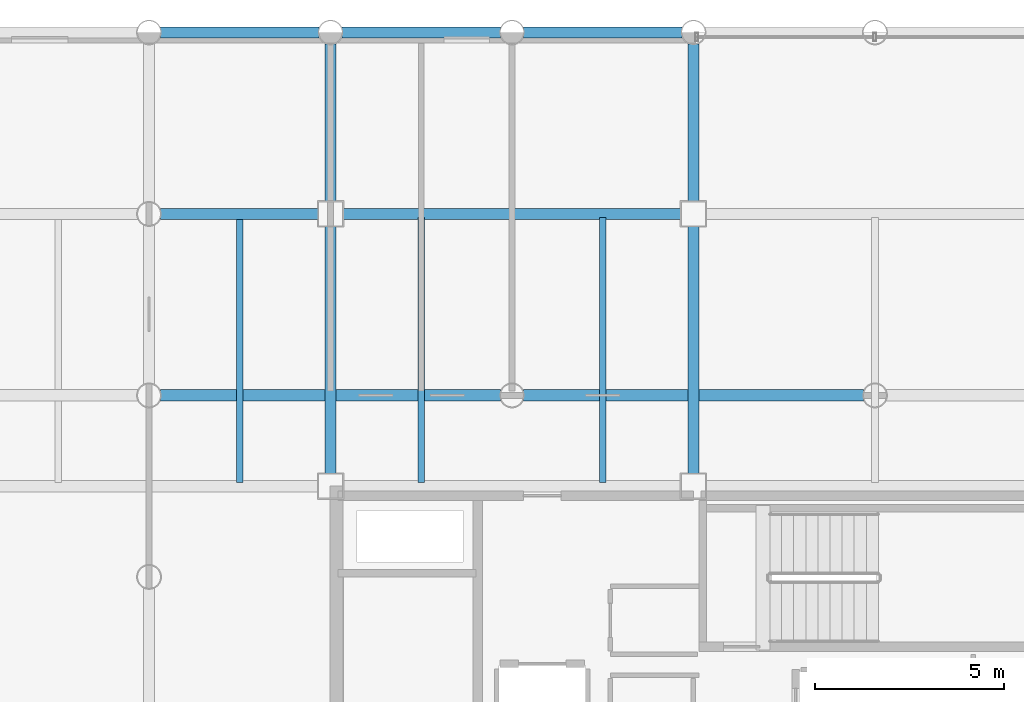
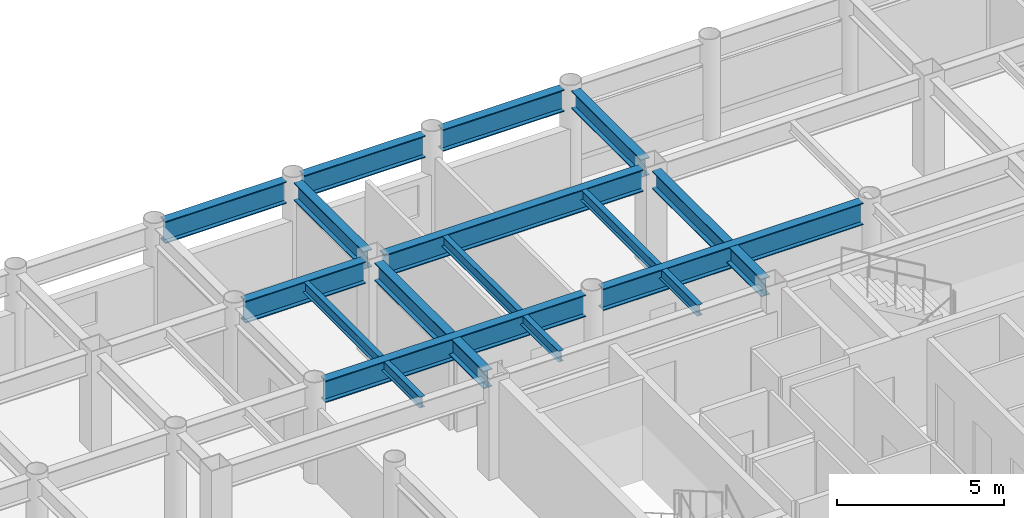
# One storey, part 10 of 19: 14 beams.
"""IFC4 building model written with IfcOpenShell, lengths in metres."""

from ifc_helpers import new_model, si_unit, direction, frame, origin, origin_2d, place, context, subcontext, project, spatial, i_section, extrude, material, material_profile, profile_set, type_object, element, save


model = new_model("IFC4")

# Units and contexts
model_context = context("Model", 3, precision=1e-05, world=origin(), true_north=direction((0.0, 1.0)))
body_context = subcontext(model_context, "Body", "Model", "MODEL_VIEW")
ifc_project = project(units=[si_unit("LENGTHUNIT", "METRE"), si_unit("AREAUNIT", "SQUARE_METRE"), si_unit("VOLUMEUNIT", "CUBIC_METRE"), si_unit("PLANEANGLEUNIT", "RADIAN"), si_unit("MASSUNIT", "GRAM", prefix="KILO")], contexts=[model_context])

# Site, building, storey
site_placement = place(None, origin())
site = spatial("IfcSite", under=ifc_project, at=site_placement, CompositionType="ELEMENT")
building_placement = place(site_placement, origin())
building = spatial("IfcBuilding", under=site, at=building_placement, Name="Kallvorn Hotel Tower", CompositionType="ELEMENT")
storey_placement = place(building_placement, frame((0.0, 0.0, 165.5)))
storey = spatial("IfcBuildingStorey", under=building, at=storey_placement, Name="L41", CompositionType="ELEMENT", Elevation=165.5)

# Beams
ifc_material_1 = material(Name="Structural steel S355JR", Category="steel")
ifc_material_profile_1 = material_profile(ifc_material_1, i_section(OverallWidth=0.300048828125, OverallDepth=0.64990234375, WebThickness=0.01611328125, FlangeThickness=0.031005859375, at=origin_2d()), Name="HE 650 B")
ifc_profile_set_1 = profile_set([ifc_material_profile_1], Name="Structural steel S355JR")
beam_type_1 = type_object("IfcBeamType", Name="BM_HE650B", PredefinedType="BEAM", material=ifc_profile_set_1)
beam_1_placement = place(storey_placement, frame((-14.39990234375, 7.52490234375, 3.195068359375), z_axis=(0.0, 1.0, 0.0), x_axis=(-1.0, 0.0, 0.0)))
element("IfcBeam", 1, at=beam_1_placement, inside=storey, type_object=beam_type_1, Name="L42 Primary Y-Girder 101", PredefinedType="BEAM", context=body_context, shape_type="SweptSolid", body=[
    extrude(i_section(OverallWidth=0.300048828125, OverallDepth=0.64990234375, WebThickness=0.01611328125, FlangeThickness=0.031005859375, at=origin_2d()), origin(), (0.0, 0.0, 1.0), 6.550048828125),
])
beam_2_placement = place(storey_placement, frame((-14.39990234375, 14.72509765625, 3.195068359375), z_axis=(0.0, 1.0, 0.0), x_axis=(-1.0, 0.0, 0.0)))
element("IfcBeam", 2, at=beam_2_placement, inside=storey, type_object=beam_type_1, Name="L42 Primary Y-Girder 102", PredefinedType="BEAM", context=body_context, shape_type="SweptSolid", body=[
    extrude(i_section(OverallWidth=0.300048828125, OverallDepth=0.64990234375, WebThickness=0.01611328125, FlangeThickness=0.031005859375, at=origin_2d()), origin(), (0.0, 0.0, 1.0), 4.169921875),
])
beam_3_placement = place(storey_placement, frame((-4.800048828125, 7.52490234375, 3.195068359375), z_axis=(0.0, 1.0, 0.0), x_axis=(-1.0, 0.0, 0.0)))
element("IfcBeam", 3, at=beam_3_placement, inside=storey, type_object=beam_type_1, Name="L42 Primary Y-Girder 109", PredefinedType="BEAM", context=body_context, shape_type="SweptSolid", body=[
    extrude(i_section(OverallWidth=0.300048828125, OverallDepth=0.64990234375, WebThickness=0.01611328125, FlangeThickness=0.031005859375, at=origin_2d()), origin(), (0.0, 0.0, 1.0), 6.550048828125),
])
beam_4_placement = place(storey_placement, frame((-4.800048828125, 14.72509765625, 3.195068359375), z_axis=(0.0, 1.0, 0.0), x_axis=(-1.0, 0.0, 0.0)))
element("IfcBeam", 4, at=beam_4_placement, inside=storey, type_object=beam_type_1, Name="L42 Primary Y-Girder 110", PredefinedType="BEAM", context=body_context, shape_type="SweptSolid", body=[
    extrude(i_section(OverallWidth=0.300048828125, OverallDepth=0.64990234375, WebThickness=0.01611328125, FlangeThickness=0.031005859375, at=origin_2d()), origin(), (0.0, 0.0, 1.0), 4.169921875),
])
ifc_material_2 = material(Name="Structural steel S355JR", Category="steel")
ifc_material_profile_2 = material_profile(ifc_material_2, i_section(OverallWidth=0.300048828125, OverallDepth=0.800048828125, WebThickness=0.017578125, FlangeThickness=0.032958984375, at=origin_2d()), Name="HE 800 B")
ifc_profile_set_2 = profile_set([ifc_material_profile_2], Name="Structural steel S355JR")
beam_type_2 = type_object("IfcBeamType", Name="BM_HE800B", PredefinedType="BEAM", material=ifc_profile_set_2)
for number, where, z_axis, x_axis, name in (
    (5, (-18.89501953125, 9.60009765625, 3.1201171875), (1.0, 0.0, 0.0), (0.0, 1.0, 0.0), "L42 Primary X-Girder 45"),
    (6, (-9.294921875, 9.60009765625, 3.1201171875), (1.0, 0.0, 0.0), (0.0, 1.0, 0.0), "L42 Primary X-Girder 46"),
):
    element("IfcBeam", number, at=place(storey_placement, frame(where, z_axis=z_axis, x_axis=x_axis)), inside=storey, type_object=beam_type_2, Name=name, PredefinedType="BEAM", context=body_context, shape_type="SweptSolid", body=[
        extrude(i_section(OverallWidth=0.300048828125, OverallDepth=0.800048828125, WebThickness=0.017578125, FlangeThickness=0.032958984375, at=origin_2d()), origin(), (0.0, 0.0, 1.0), 8.989990234375),
    ])
beam_5_placement = place(storey_placement, frame((-18.89501953125, 14.39990234375, 3.1201171875), z_axis=(1.0, 0.0, 0.0), x_axis=(0.0, 1.0, 0.0)))
element("IfcBeam", 7, at=beam_5_placement, inside=storey, type_object=beam_type_2, Name="L42 Primary X-Girder 54", PredefinedType="BEAM", context=body_context, shape_type="SweptSolid", body=[
    extrude(i_section(OverallWidth=0.300048828125, OverallDepth=0.800048828125, WebThickness=0.017578125, FlangeThickness=0.032958984375, at=origin_2d()), origin(), (0.0, 0.0, 1.0), 4.169921875),
])
beam_6_placement = place(storey_placement, frame((-14.074951171875, 14.39990234375, 3.1201171875), z_axis=(1.0, 0.0, 0.0), x_axis=(0.0, 1.0, 0.0)))
element("IfcBeam", 8, at=beam_6_placement, inside=storey, type_object=beam_type_2, Name="L42 Primary X-Girder 55", PredefinedType="BEAM", context=body_context, shape_type="SweptSolid", body=[
    extrude(i_section(OverallWidth=0.300048828125, OverallDepth=0.800048828125, WebThickness=0.017578125, FlangeThickness=0.032958984375, at=origin_2d()), origin(), (0.0, 0.0, 1.0), 8.949951171875),
])
for number, where, z_axis, x_axis, name in (
    (9, (-18.89501953125, 19.199951171875, 3.1201171875), (1.0, 0.0, 0.0), (0.0, 1.0, 0.0), "L42 Primary X-Girder 63"),
    (10, (-14.094970703125, 19.199951171875, 3.1201171875), (1.0, 0.0, 0.0), (0.0, 1.0, 0.0), "L42 Primary X-Girder 64"),
    (11, (-9.294921875, 19.199951171875, 3.1201171875), (1.0, 0.0, 0.0), (0.0, 1.0, 0.0), "L42 Primary X-Girder 65"),
):
    element("IfcBeam", number, at=place(storey_placement, frame(where, z_axis=z_axis, x_axis=x_axis)), inside=storey, type_object=beam_type_2, Name=name, PredefinedType="BEAM", context=body_context, shape_type="SweptSolid", body=[
        extrude(i_section(OverallWidth=0.300048828125, OverallDepth=0.800048828125, WebThickness=0.017578125, FlangeThickness=0.032958984375, at=origin_2d()), origin(), (0.0, 0.0, 1.0), 4.18994140625),
    ])
ifc_material_3 = material(Name="Structural steel S355JR", Category="steel")
ifc_material_profile_3 = material_profile(ifc_material_3, i_section(OverallWidth=0.179931640625, OverallDepth=0.39990234375, WebThickness=0.008544921875, FlangeThickness=0.013427734375, at=origin_2d()), Name="IPE 400")
ifc_profile_set_3 = profile_set([ifc_material_profile_3], Name="Structural steel S355JR")
beam_type_3 = type_object("IfcBeamType", Name="BM_IPE400", PredefinedType="JOIST", material=ifc_profile_set_3)
for number, where, z_axis, x_axis, name in (
    (12, (-16.800048828125, 7.300048828125, 3.320068359375), (0.0, 1.0, 0.0), (-1.0, 0.0, 0.0), "L42 Secondary Composite Joist 195"),
    (13, (-12.0, 7.300048828125, 3.320068359375), (0.0, 1.0, 0.0), (-1.0, 0.0, 0.0), "L42 Secondary Composite Joist 197"),
    (14, (-7.199951171875, 7.300048828125, 3.320068359375), (0.0, 1.0, 0.0), (-1.0, 0.0, 0.0), "L42 Secondary Composite Joist 199"),
):
    element("IfcBeam", number, at=place(storey_placement, frame(where, z_axis=z_axis, x_axis=x_axis)), inside=storey, type_object=beam_type_3, Name=name, PredefinedType="JOIST", context=body_context, shape_type="SweptSolid", body=[
        extrude(i_section(OverallWidth=0.179931640625, OverallDepth=0.39990234375, WebThickness=0.008544921875, FlangeThickness=0.013427734375, at=origin_2d()), origin(), (0.0, 0.0, 1.0), 7.0),
    ])

save(model, "model.ifc")
